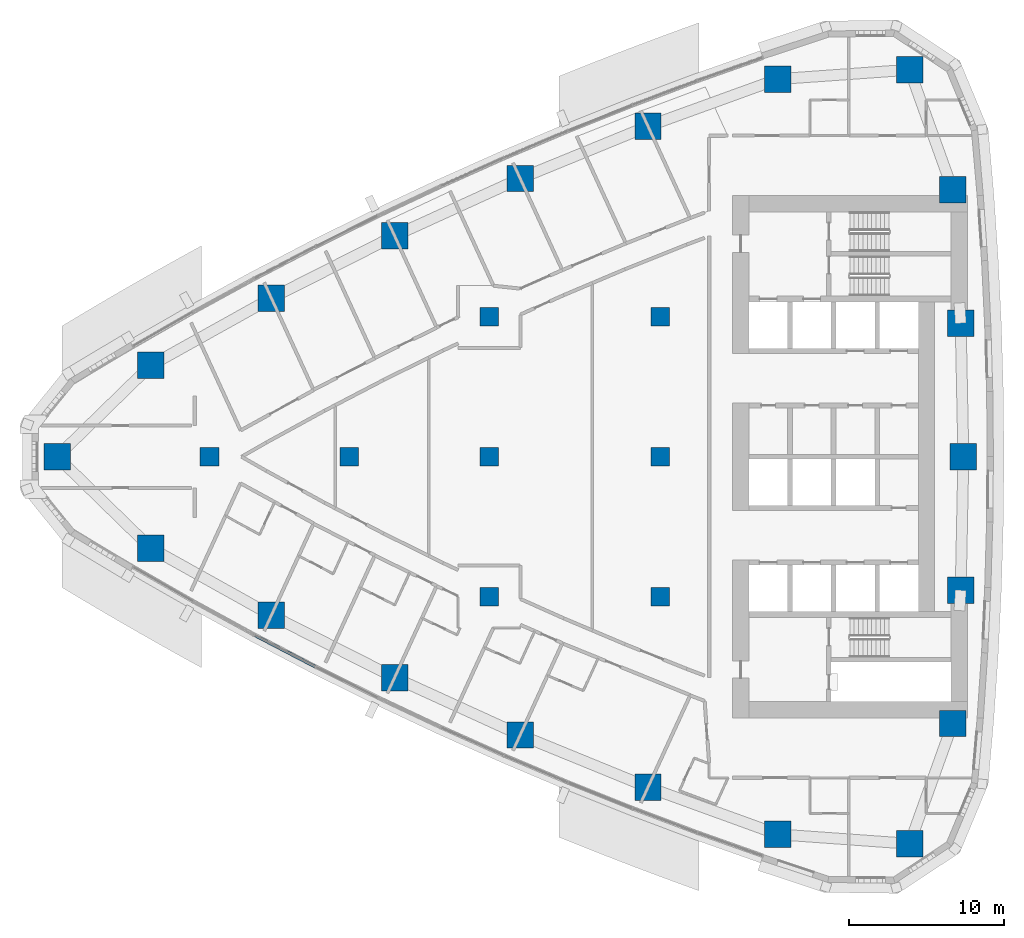
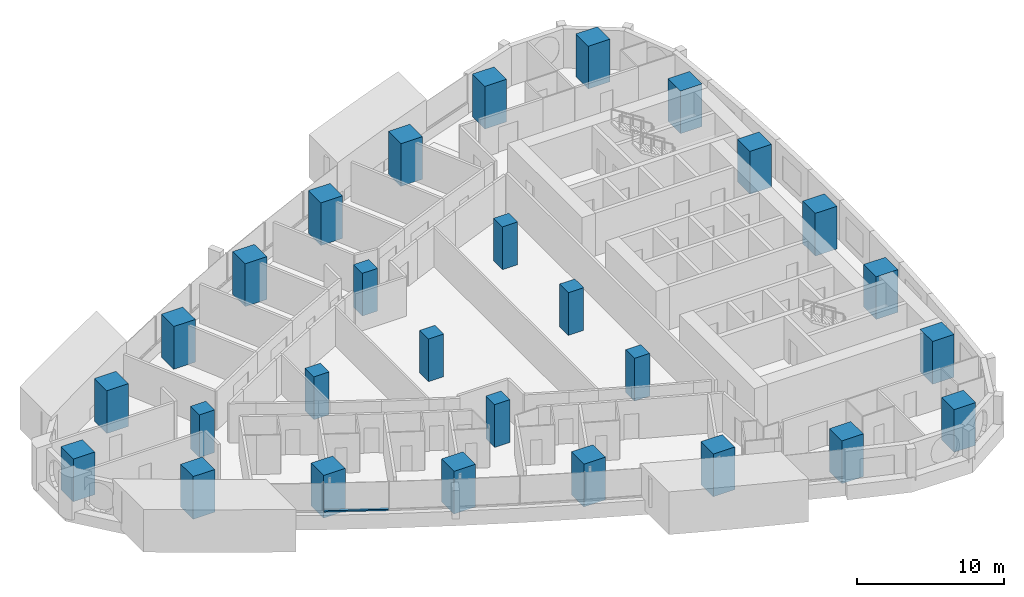
# One storey, part 1 of 17: 28 columns, 1 member, 1 element without a shape of its own.
"""IFC4 building model written with IfcOpenShell, lengths in metres."""

from ifc_helpers import new_model, si_unit, direction, frame, origin, origin_2d, place, context, subcontext, project, spatial, rectangle, extrude, material, layer, layer_set, material_profile, profile_set, type_object, element, aggregate, save


model = new_model("IFC4")

# Units and contexts
model_context = context("Model", 3, precision=1e-05, world=origin(), true_north=direction((0.0, 1.0)))
body_context = subcontext(model_context, "Body", "Model", "MODEL_VIEW")
ifc_project = project(units=[si_unit("LENGTHUNIT", "METRE"), si_unit("AREAUNIT", "SQUARE_METRE"), si_unit("VOLUMEUNIT", "CUBIC_METRE"), si_unit("PLANEANGLEUNIT", "RADIAN"), si_unit("MASSUNIT", "GRAM", prefix="KILO")], contexts=[model_context])

# Site, building, storey
site_placement = place(None, origin())
site = spatial("IfcSite", under=ifc_project, at=site_placement, CompositionType="ELEMENT")
building_placement = place(site_placement, origin())
building = spatial("IfcBuilding", under=site, at=building_placement, Name="Ostrand Prow Hotel Tower", CompositionType="ELEMENT")
storey_placement = place(building_placement, frame((0.0, 0.0, 88.449951171875)))
storey = spatial("IfcBuildingStorey", under=building, at=storey_placement, Name="L20", CompositionType="ELEMENT", Elevation=88.449951171875)

# Columns
ifc_material_1 = material(Name="Concrete C80/95", Category="concrete")
ifc_material_profile_1 = material_profile(ifc_material_1, rectangle(XDim=1.199951171875, YDim=1.199951171875, at=origin_2d()), Name="RC 1200x1200")
ifc_profile_set_1 = profile_set([ifc_material_profile_1], Name="Concrete C80/95")
column_type_1 = type_object("IfcColumnType", Name="Interior column 1200x1200 C80/95", PredefinedType="COLUMN", material=ifc_profile_set_1)
for number, where, z_axis, x_axis, name in (
    (1, (16.0, 0.0, 0.0), (0.0, 0.0, 1.0), (1.0, 0.0, 0.0), "Interior column 16C0"),
    (2, (25.0, 0.0, 0.0), (0.0, 0.0, 1.0), (1.0, 0.0, 0.0), "Interior column 25C0"),
    (3, (34.0, -9.0, 0.0), (0.0, 0.0, 1.0), (1.0, 0.0, 0.0), "Interior column 34S9"),
    (4, (34.0, 0.0, 0.0), (0.0, 0.0, 1.0), (1.0, 0.0, 0.0), "Interior column 34C0"),
    (5, (34.0, 9.0, 0.0), (0.0, 0.0, 1.0), (1.0, 0.0, 0.0), "Interior column 34N9"),
    (6, (45.0, -9.0, 0.0), (0.0, 0.0, 1.0), (1.0, 0.0, 0.0), "Interior column 45S9"),
    (7, (45.0, 0.0, 0.0), (0.0, 0.0, 1.0), (1.0, 0.0, 0.0), "Interior column 45C0"),
    (8, (45.0, 9.0, 0.0), (0.0, 0.0, 1.0), (1.0, 0.0, 0.0), "Interior column 45N9"),
):
    element("IfcColumn", number, at=place(storey_placement, frame(where, z_axis=z_axis, x_axis=x_axis)), inside=storey, type_object=column_type_1, Name=name, PredefinedType="COLUMN", context=body_context, shape_type="SweptSolid", body=[
        extrude(rectangle(XDim=1.199951171875, YDim=1.199951171875, at=origin_2d()), origin(), (0.0, 0.0, 1.0), 3.550048828125),
    ])
ifc_material_2 = material(Name="Concrete C80/95", Category="concrete")
ifc_material_profile_2 = material_profile(ifc_material_2, rectangle(XDim=1.699951171875, YDim=1.699951171875, at=origin_2d()), Name="RC 1700x1700")
ifc_profile_set_2 = profile_set([ifc_material_profile_2], Name="Concrete C80/95")
column_type_2 = type_object("IfcColumnType", Name="Stone-faced mega column 1700x1700 C80/95", PredefinedType="COLUMN", material=ifc_profile_set_2)
for number, where, z_axis, x_axis, name in (
    (9, (6.193115234375, 0.0, 0.0), (0.0, 0.0, 1.0), (1.0, 0.0, 0.0), "Mega column P"),
    (10, (12.221435546875, -5.876220703125, 0.0), (0.0, 0.0, 1.0), (1.0, 0.0, 0.0), "Mega column S1"),
    (11, (19.980712890625, -10.20166015625, 0.0), (0.0, 0.0, 1.0), (1.0, 0.0, 0.0), "Mega column S2"),
    (12, (27.906982421875, -14.212158203125, 0.0), (0.0, 0.0, 1.0), (1.0, 0.0, 0.0), "Mega column S3"),
    (13, (35.98828125, -17.901611328125, 0.0), (0.0, 0.0, 1.0), (1.0, 0.0, 0.0), "Mega column S4"),
    (14, (44.210693359375, -21.263671875, 0.0), (0.0, 0.0, 1.0), (1.0, 0.0, 0.0), "Mega column S5"),
    (15, (52.561767578125, -24.29296875, 0.0), (0.0, 0.0, 1.0), (1.0, 0.0, 0.0), "Mega column S6"),
    (16, (61.0400390625, -24.89697265625, 0.0), (0.0, 0.0, 1.0), (1.0, 0.0, 0.0), "Mega column SE"),
    (17, (63.815673828125, -17.16357421875, 0.0), (0.0, 0.0, 1.0), (1.0, 0.0, 0.0), "Mega column B1"),
    (18, (64.328857421875, -8.588623046875, 0.0), (0.0, 0.0, 1.0), (1.0, 0.0, 0.0), "Mega column B2"),
    (19, (64.5, 0.0, 0.0), (0.0, 0.0, 1.0), (1.0, 0.0, 0.0), "Mega column B3"),
    (20, (64.328857421875, 8.588623046875, 0.0), (0.0, 0.0, 1.0), (1.0, 0.0, 0.0), "Mega column B4"),
    (21, (63.815673828125, 17.16357421875, 0.0), (0.0, 0.0, 1.0), (1.0, 0.0, 0.0), "Mega column B5"),
    (22, (61.0400390625, 24.89697265625, 0.0), (0.0, 0.0, 1.0), (1.0, 0.0, 0.0), "Mega column NE"),
    (23, (52.561767578125, 24.29296875, 0.0), (0.0, 0.0, 1.0), (1.0, 0.0, 0.0), "Mega column N1"),
    (24, (44.210693359375, 21.263671875, 0.0), (0.0, 0.0, 1.0), (1.0, 0.0, 0.0), "Mega column N2"),
    (25, (35.98828125, 17.901611328125, 0.0), (0.0, 0.0, 1.0), (1.0, 0.0, 0.0), "Mega column N3"),
    (26, (27.906982421875, 14.212158203125, 0.0), (0.0, 0.0, 1.0), (1.0, 0.0, 0.0), "Mega column N4"),
    (27, (19.980712890625, 10.20166015625, 0.0), (0.0, 0.0, 1.0), (1.0, 0.0, 0.0), "Mega column N5"),
    (28, (12.221435546875, 5.876220703125, 0.0), (0.0, 0.0, 1.0), (1.0, 0.0, 0.0), "Mega column N6"),
):
    element("IfcColumn", number, at=place(storey_placement, frame(where, z_axis=z_axis, x_axis=x_axis)), inside=storey, type_object=column_type_2, Name=name, PredefinedType="COLUMN", context=body_context, shape_type="SweptSolid", body=[
        extrude(rectangle(XDim=1.699951171875, YDim=1.699951171875, at=origin_2d()), origin(), (0.0, 0.0, 1.0), 3.550048828125),
    ])

# Curtain wall, member
ifc_material_3 = material(Name="Insulated glass in bronze anodised frame", Category="glass")
ifc_layer = layer(ifc_material_3, 0.199951171875)
ifc_layer_set = layer_set([ifc_layer], Name="Insulated glass in bronze anodised frame")
curtain_wall_type = type_object("IfcCurtainWallType", Name="Strip curtain wall, fritted glass over bronze spandrel", PredefinedType="NOTDEFINED", material=ifc_layer_set)
curtain_wall_placement = place(storey_placement, origin())
curtain_wall = element("IfcCurtainWall", 29, at=curtain_wall_placement, inside=storey, type_object=curtain_wall_type, Name="CW1 run CWS2", PredefinedType="NOTDEFINED")
ifc_material_4 = material(Name="Bronze anodised aluminium", Category="aluminium")
ifc_material_profile_3 = material_profile(ifc_material_4, rectangle(XDim=0.199951171875, YDim=0.1201171875, at=origin_2d()), Name="Transom 120x200 bronze anodised aluminium")
ifc_profile_set_3 = profile_set([ifc_material_profile_3], Name="Bronze anodised aluminium")
member_type = type_object("IfcMemberType", Name="Transom 120x200 bronze anodised aluminium", PredefinedType="USERDEFINED", material=ifc_profile_set_3)
member_placement = place(storey_placement, frame((18.89697265625, -11.475830078125, 0.9599609375), z_axis=(0.886901787206, -0.461958028235, 0.0), x_axis=(0.461958028235, 0.886901787206, 0.0)))
member = element("IfcMember", 30, at=member_placement, type_object=member_type, Name="CW1 transom 1.1", ObjectType="TRANSOM", PredefinedType="USERDEFINED", context=body_context, shape_type="SweptSolid", body=[
    extrude(rectangle(XDim=0.199951171875, YDim=0.1201171875, at=origin_2d()), origin(), (0.0, 0.0, 1.0), 4.406005859375),
])
aggregate(curtain_wall, [member])

save(model, "model.ifc")
